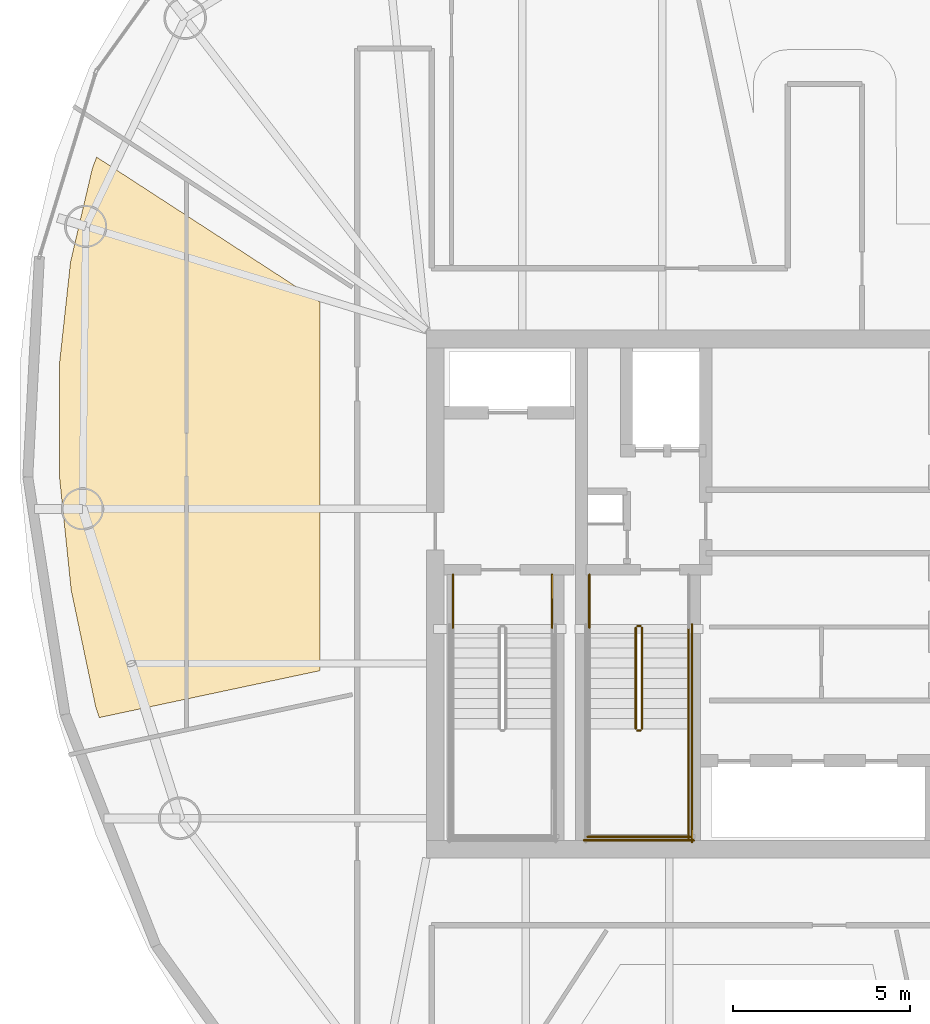
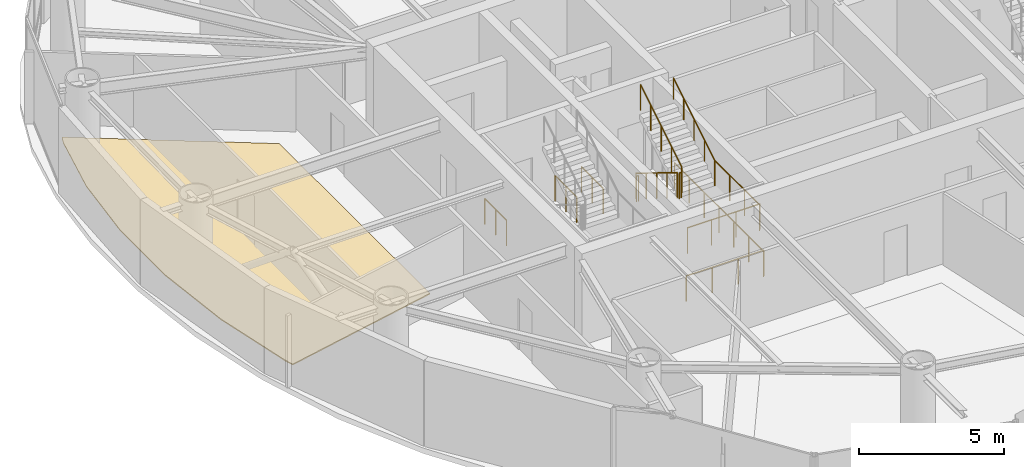
# One storey, part 17 of 19: 12 railings, 1 covering.
"""IFC4 building model written with IfcOpenShell, lengths in metres."""

from ifc_helpers import new_model, si_unit, direction, frame, origin, origin_2d, place, context, subcontext, project, spatial, polyline, circle, outline, extrude, material, layer, layer_set, type_object, element, save


model = new_model("IFC4")

# Units and contexts
model_context = context("Model", 3, precision=1e-05, world=origin(), true_north=direction((0.0, 1.0)))
body_context = subcontext(model_context, "Body", "Model", "MODEL_VIEW")
ifc_project = project(units=[si_unit("LENGTHUNIT", "METRE"), si_unit("AREAUNIT", "SQUARE_METRE"), si_unit("VOLUMEUNIT", "CUBIC_METRE"), si_unit("PLANEANGLEUNIT", "RADIAN"), si_unit("MASSUNIT", "GRAM", prefix="KILO")], contexts=[model_context])

# Site, building, storey
site_placement = place(None, origin())
site = spatial("IfcSite", under=ifc_project, at=site_placement, CompositionType="ELEMENT")
building_placement = place(site_placement, origin())
building = spatial("IfcBuilding", under=site, at=building_placement, Name="Bramvorn Convention Spire", CompositionType="ELEMENT")
storey_placement = place(building_placement, frame((0.0, 0.0, 217.39990234375)))
storey = spatial("IfcBuildingStorey", under=building, at=storey_placement, Name="L55", CompositionType="ELEMENT", Elevation=217.39990234375)

# Covering
ifc_material_1 = material(Name="Calcium-Sulphate Raised Access Office Floor", Category="steel")
ifc_layer = layer(ifc_material_1, 0.044921875)
ifc_layer_set = layer_set([ifc_layer], Name="Calcium-Sulphate Raised Access Office Floor - FLR-RAISED-45")
covering_type = type_object("IfcCoveringType", Name="FLR-RAISED-45", PredefinedType="FLOORING", material=ifc_layer_set)
covering_placement = place(storey_placement, origin())
element("IfcCovering", 1, at=covering_placement, inside=storey, type_object=covering_type, Name="L55 Associate Office Chamber 4 4 raised floor finish", PredefinedType="FLOORING", context=body_context, shape_type="SweptSolid", body=[
    extrude(outline(polyline([(17.41162109375, 22.838623046875), (17.51708984375, 22.51513671875), (23.75, 23.840087890625), (23.75, 34.240478515625), (17.444091796875, 38.335693359375), (17.322509765625, 38.020751953125), (16.7060546875, 35.374267578125), (16.389892578125, 32.46484375), (16.389892578125, 29.35400390625), (16.72412109375, 26.1171875), (17.41162109375, 22.838623046875)])), origin(), (0.0, 0.0, 1.0), 0.045166015625),
])

# Railings
ifc_material_2 = material(Name="Painted Steel Balustrade & Guardrail", Category="steel")
railing_type_1 = type_object("IfcRailingType", Name="RL-STAIR-GUARD-1100", PredefinedType="GUARDRAIL", material=ifc_material_2)
for number, where, name in (
    (2, (27.5, 26.550048828125, 0.0), "L55 ST1 stair guard 8"),
    (3, (30.300048828125, 26.550048828125, 0.0), "L55 ST1 stair guard 9"),
):
    element("IfcRailing", number, at=place(storey_placement, frame(where)), inside=storey, type_object=railing_type_1, Name=name, PredefinedType="GUARDRAIL", context=body_context, shape_type="SweptSolid", body=[
        extrude(circle(Radius=0.02392578125, at=origin_2d()), frame((0.0, 0.0, 1.076171875), z_axis=(0.0, -1.0, 0.0), x_axis=(1.0, 0.0, 0.0)), (0.0, 0.0, 1.0), 1.5),
        extrude(circle(Radius=0.02099609375, at=origin_2d()), origin(), (0.0, 0.0, 1.0), 1.052001953125),
        extrude(circle(Radius=0.02099609375, at=origin_2d()), frame((0.0, -0.75, 0.0)), (0.0, 0.0, 1.0), 1.052001953125),
        extrude(circle(Radius=0.02099609375, at=origin_2d()), frame((0.0, -1.5, 0.0)), (0.0, 0.0, 1.0), 1.052001953125),
    ])
railing_1_placement = place(storey_placement, frame((32.659912109375, 25.050048828125, 0.175048828125)))
element("IfcRailing", 4, at=railing_1_placement, inside=storey, type_object=railing_type_1, Name="L55 ST3 stair guard 1", PredefinedType="GUARDRAIL", context=body_context, shape_type="SweptSolid", body=[
    extrude(circle(Radius=0.02392578125, at=origin_2d()), frame((0.0, 0.0, 1.076171875), z_axis=(0.0, -0.852179220489, 0.52325001306), x_axis=(1.0, 0.0, 0.0)), (0.0, 0.0, 1.0), 3.344482421875),
    extrude(circle(Radius=0.02099609375, at=origin_2d()), origin(), (0.0, 0.0, 1.0), 1.052001953125),
    extrude(circle(Radius=0.02099609375, at=origin_2d()), frame((0.0, -0.71240234375, 0.4375)), (0.0, 0.0, 1.0), 1.052001953125),
    extrude(circle(Radius=0.02099609375, at=origin_2d()), frame((0.0, -1.425048828125, 0.875)), (0.0, 0.0, 1.0), 1.052001953125),
    extrude(circle(Radius=0.02099609375, at=origin_2d()), frame((0.0, -2.1376953125, 1.3125)), (0.0, 0.0, 1.0), 1.052001953125),
    extrude(circle(Radius=0.02099609375, at=origin_2d()), frame((0.0, -2.85009765625, 1.75)), (0.0, 0.0, 1.0), 1.052001953125),
])
railing_2_placement = place(storey_placement, frame((32.7099609375, 22.14990234375, 1.925048828125)))
element("IfcRailing", 5, at=railing_2_placement, inside=storey, type_object=railing_type_1, Name="L55 ST3 stair guard 2", PredefinedType="GUARDRAIL", context=body_context, shape_type="SweptSolid", body=[
    extrude(circle(Radius=0.02392578125, at=origin_2d()), frame((0.0, 0.0, 1.076171875), z_axis=(1.0, 0.0, 0.0), x_axis=(0.0, 1.0, 0.0)), (0.0, 0.0, 1.0), 0.080078125),
    extrude(circle(Radius=0.02099609375, at=origin_2d()), origin(), (0.0, 0.0, 1.0), 1.052001953125),
    extrude(circle(Radius=0.02099609375, at=origin_2d()), frame((0.080078125, 0.0, 0.0)), (0.0, 0.0, 1.0), 1.052001953125),
])
railing_3_placement = place(storey_placement, frame((34.14990234375, 22.199951171875, 1.925048828125)))
element("IfcRailing", 6, at=railing_3_placement, inside=storey, type_object=railing_type_1, Name="L55 ST3 stair guard 4", PredefinedType="GUARDRAIL", context=body_context, shape_type="SweptSolid", body=[
    extrude(circle(Radius=0.02392578125, at=origin_2d()), frame((0.0, 0.0, 1.076171875), z_axis=(0.0, -1.0, 0.0), x_axis=(1.0, 0.0, 0.0)), (0.0, 0.0, 1.0), 3.099853515625),
    extrude(circle(Radius=0.02099609375, at=origin_2d()), origin(), (0.0, 0.0, 1.0), 1.052001953125),
    extrude(circle(Radius=0.02099609375, at=origin_2d()), frame((0.0, -1.033203125, 0.0)), (0.0, 0.0, 1.0), 1.052001953125),
    extrude(circle(Radius=0.02099609375, at=origin_2d()), frame((0.0, -2.066650390625, 0.0)), (0.0, 0.0, 1.0), 1.052001953125),
    extrude(circle(Radius=0.02099609375, at=origin_2d()), frame((0.0, -3.099853515625, 0.0)), (0.0, 0.0, 1.0), 1.052001953125),
])
railing_4_placement = place(storey_placement, frame((31.300048828125, 19.14990234375, 1.925048828125)))
element("IfcRailing", 7, at=railing_4_placement, inside=storey, type_object=railing_type_1, Name="L55 ST3 stair guard 5", PredefinedType="GUARDRAIL", context=body_context, shape_type="SweptSolid", body=[
    extrude(circle(Radius=0.02392578125, at=origin_2d()), frame((0.0, 0.0, 1.076171875), z_axis=(1.0, 0.0, 0.0), x_axis=(0.0, 1.0, 0.0)), (0.0, 0.0, 1.0), 2.89990234375),
    extrude(circle(Radius=0.02099609375, at=origin_2d()), origin(), (0.0, 0.0, 1.0), 1.052001953125),
    extrude(circle(Radius=0.02099609375, at=origin_2d()), frame((0.966552734375, 0.0, 0.0)), (0.0, 0.0, 1.0), 1.052001953125),
    extrude(circle(Radius=0.02099609375, at=origin_2d()), frame((1.933349609375, 0.0, 0.0)), (0.0, 0.0, 1.0), 1.052001953125),
    extrude(circle(Radius=0.02099609375, at=origin_2d()), frame((2.89990234375, 0.0, 0.0)), (0.0, 0.0, 1.0), 1.052001953125),
])
railing_5_placement = place(storey_placement, frame((32.840087890625, 22.199951171875, 2.10009765625)))
element("IfcRailing", 8, at=railing_5_placement, inside=storey, type_object=railing_type_1, Name="L55 ST3 stair guard 6", PredefinedType="GUARDRAIL", context=body_context, shape_type="SweptSolid", body=[
    extrude(circle(Radius=0.02392578125, at=origin_2d()), frame((0.0, 0.0, 1.076171875), z_axis=(0.0, 0.852179220489, 0.52325001306), x_axis=(-1.0, 0.0, 0.0)), (0.0, 0.0, 1.0), 3.344482421875),
    extrude(circle(Radius=0.02099609375, at=origin_2d()), origin(), (0.0, 0.0, 1.0), 1.052001953125),
    extrude(circle(Radius=0.02099609375, at=origin_2d()), frame((0.0, 0.71240234375, 0.4375)), (0.0, 0.0, 1.0), 1.052001953125),
    extrude(circle(Radius=0.02099609375, at=origin_2d()), frame((0.0, 1.425048828125, 0.875)), (0.0, 0.0, 1.0), 1.052001953125),
    extrude(circle(Radius=0.02099609375, at=origin_2d()), frame((0.0, 2.1376953125, 1.3125)), (0.0, 0.0, 1.0), 1.052001953125),
    extrude(circle(Radius=0.02099609375, at=origin_2d()), frame((0.0, 2.85009765625, 1.75)), (0.0, 0.0, 1.0), 1.052001953125),
])
railing_6_placement = place(storey_placement, frame((32.7099609375, 25.10009765625, 0.0)))
element("IfcRailing", 9, at=railing_6_placement, inside=storey, type_object=railing_type_1, Name="L55 ST3 stair guard 7", PredefinedType="GUARDRAIL", context=body_context, shape_type="SweptSolid", body=[
    extrude(circle(Radius=0.02392578125, at=origin_2d()), frame((0.0, 0.0, 1.076171875), z_axis=(1.0, 0.0, 0.0), x_axis=(0.0, 1.0, 0.0)), (0.0, 0.0, 1.0), 0.080078125),
    extrude(circle(Radius=0.02099609375, at=origin_2d()), origin(), (0.0, 0.0, 1.0), 1.052001953125),
    extrude(circle(Radius=0.02099609375, at=origin_2d()), frame((0.080078125, 0.0, 0.0)), (0.0, 0.0, 1.0), 1.052001953125),
])
railing_7_placement = place(storey_placement, frame((31.35009765625, 26.550048828125, 0.0)))
element("IfcRailing", 10, at=railing_7_placement, inside=storey, type_object=railing_type_1, Name="L55 ST3 stair guard 8", PredefinedType="GUARDRAIL", context=body_context, shape_type="SweptSolid", body=[
    extrude(circle(Radius=0.02392578125, at=origin_2d()), frame((0.0, 0.0, 1.076171875), z_axis=(0.0, -1.0, 0.0), x_axis=(1.0, 0.0, 0.0)), (0.0, 0.0, 1.0), 1.5),
    extrude(circle(Radius=0.02099609375, at=origin_2d()), origin(), (0.0, 0.0, 1.0), 1.052001953125),
    extrude(circle(Radius=0.02099609375, at=origin_2d()), frame((0.0, -0.75, 0.0)), (0.0, 0.0, 1.0), 1.052001953125),
    extrude(circle(Radius=0.02099609375, at=origin_2d()), frame((0.0, -1.5, 0.0)), (0.0, 0.0, 1.0), 1.052001953125),
])
railing_8_placement = place(storey_placement, frame((34.25, 25.14990234375, 0.0)))
element("IfcRailing", 11, at=railing_8_placement, inside=storey, type_object=railing_type_1, Name="L55 ST3 stair guard 11", PredefinedType="GUARDRAIL", context=body_context, shape_type="SweptSolid", body=[
    extrude(circle(Radius=0.02392578125, at=origin_2d()), frame((0.0, 0.0, 1.076171875), z_axis=(0.0, -1.0, 0.0), x_axis=(1.0, 0.0, 0.0)), (0.0, 0.0, 1.0), 6.14990234375),
    extrude(circle(Radius=0.02099609375, at=origin_2d()), origin(), (0.0, 0.0, 1.0), 1.052001953125),
    extrude(circle(Radius=0.02099609375, at=origin_2d()), frame((0.0, -1.02490234375, 0.0)), (0.0, 0.0, 1.0), 1.052001953125),
    extrude(circle(Radius=0.02099609375, at=origin_2d()), frame((0.0, -2.050048828125, 0.0)), (0.0, 0.0, 1.0), 1.052001953125),
    extrude(circle(Radius=0.02099609375, at=origin_2d()), frame((0.0, -3.074951171875, 0.0)), (0.0, 0.0, 1.0), 1.052001953125),
    extrude(circle(Radius=0.02099609375, at=origin_2d()), frame((0.0, -4.099853515625, 0.0)), (0.0, 0.0, 1.0), 1.052001953125),
    extrude(circle(Radius=0.02099609375, at=origin_2d()), frame((0.0, -5.125, 0.0)), (0.0, 0.0, 1.0), 1.052001953125),
    extrude(circle(Radius=0.02099609375, at=origin_2d()), frame((0.0, -6.14990234375, 0.0)), (0.0, 0.0, 1.0), 1.052001953125),
])
railing_9_placement = place(storey_placement, frame((31.199951171875, 19.050048828125, 0.0)))
element("IfcRailing", 12, at=railing_9_placement, inside=storey, type_object=railing_type_1, Name="L55 ST3 stair guard 12", PredefinedType="GUARDRAIL", context=body_context, shape_type="SweptSolid", body=[
    extrude(circle(Radius=0.02392578125, at=origin_2d()), frame((0.0, 0.0, 1.076171875), z_axis=(1.0, 0.0, 0.0), x_axis=(0.0, 1.0, 0.0)), (0.0, 0.0, 1.0), 3.10009765625),
    extrude(circle(Radius=0.02099609375, at=origin_2d()), origin(), (0.0, 0.0, 1.0), 1.052001953125),
    extrude(circle(Radius=0.02099609375, at=origin_2d()), frame((1.033447265625, 0.0, 0.0)), (0.0, 0.0, 1.0), 1.052001953125),
    extrude(circle(Radius=0.02099609375, at=origin_2d()), frame((2.066650390625, 0.0, 0.0)), (0.0, 0.0, 1.0), 1.052001953125),
    extrude(circle(Radius=0.02099609375, at=origin_2d()), frame((3.10009765625, 0.0, 0.0)), (0.0, 0.0, 1.0), 1.052001953125),
])
ifc_material_3 = material(Name="Brushed Bronze Tubular Handrail", Category="aluminium")
railing_type_2 = type_object("IfcRailingType", Name="RL-STAIR-HR-920", PredefinedType="HANDRAIL", material=ifc_material_3)
railing_10_placement = place(storey_placement, frame((34.14990234375, 22.199951171875, 2.10009765625)))
element("IfcRailing", 13, at=railing_10_placement, inside=storey, type_object=railing_type_2, Name="L55 ST3 stair handrail 2", PredefinedType="HANDRAIL", context=body_context, shape_type="SweptSolid", body=[
    extrude(circle(Radius=0.02392578125, at=origin_2d()), frame((0.0, 0.0, 0.89599609375), z_axis=(0.0, 0.852179220489, 0.52325001306), x_axis=(-1.0, 0.0, 0.0)), (0.0, 0.0, 1.0), 3.344482421875),
    extrude(circle(Radius=0.02099609375, at=origin_2d()), origin(), (0.0, 0.0, 1.0), 0.871826171875),
    extrude(circle(Radius=0.02099609375, at=origin_2d()), frame((0.0, 0.71240234375, 0.4375)), (0.0, 0.0, 1.0), 0.871826171875),
    extrude(circle(Radius=0.02099609375, at=origin_2d()), frame((0.0, 1.425048828125, 0.875)), (0.0, 0.0, 1.0), 0.871826171875),
    extrude(circle(Radius=0.02099609375, at=origin_2d()), frame((0.0, 2.1376953125, 1.3125)), (0.0, 0.0, 1.0), 0.871826171875),
    extrude(circle(Radius=0.02099609375, at=origin_2d()), frame((0.0, 2.85009765625, 1.75)), (0.0, 0.0, 1.0), 0.871826171875),
])

save(model, "model.ifc")
